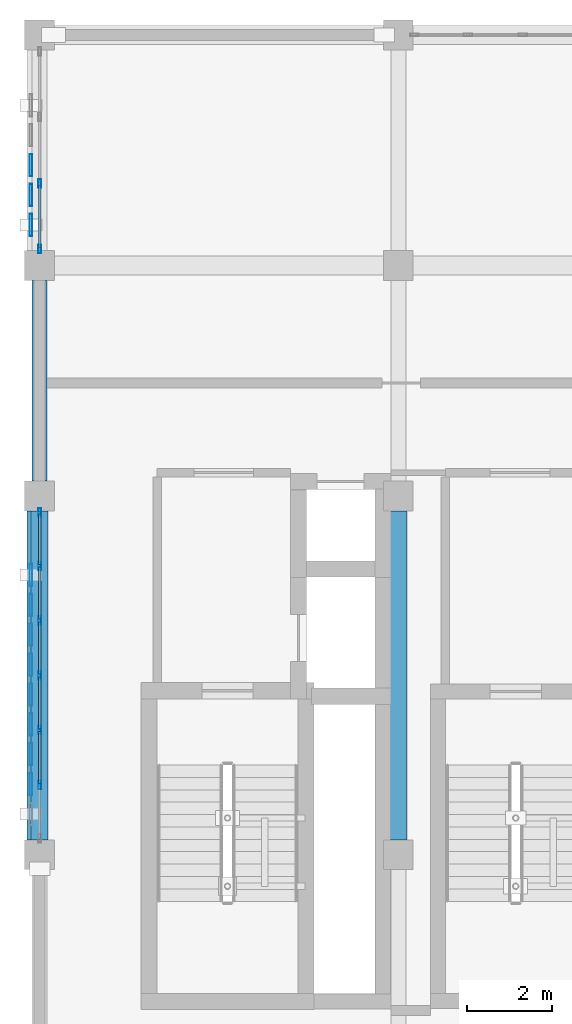
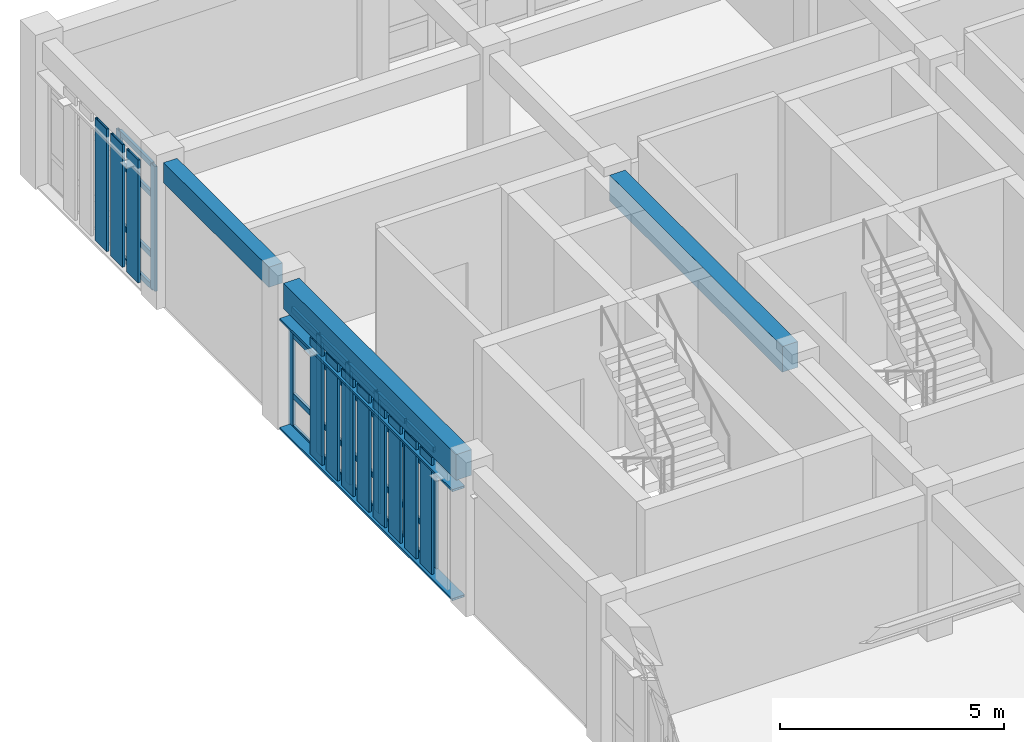
# One storey, part 9 of 22: 45 members, 3 beams, 2 elements without a shape of their own.
"""IFC4 building model written with IfcOpenShell, lengths in metres."""

from ifc_helpers import new_model, si_unit, direction, frame, origin, origin_2d, place, context, subcontext, project, spatial, rectangle, hollow_rectangle, extrude, material, layer, layer_set, material_profile, profile_set, type_object, element, aggregate, save


model = new_model("IFC4")

# Units and contexts
model_context = context("Model", 3, precision=1e-05, world=origin(), true_north=direction((0.0, 1.0)))
body_context = subcontext(model_context, "Body", "Model", "MODEL_VIEW")
ifc_project = project(units=[si_unit("LENGTHUNIT", "METRE"), si_unit("AREAUNIT", "SQUARE_METRE"), si_unit("VOLUMEUNIT", "CUBIC_METRE"), si_unit("PLANEANGLEUNIT", "RADIAN"), si_unit("MASSUNIT", "GRAM", prefix="KILO")], contexts=[model_context])

# Site, building, storey
site_placement = place(None, origin())
site = spatial("IfcSite", under=ifc_project, at=site_placement, CompositionType="ELEMENT")
building_placement = place(site_placement, origin())
building = spatial("IfcBuilding", under=site, at=building_placement, Name="Krzemoval Escarpment Law Courts", CompositionType="ELEMENT")
storey_placement = place(building_placement, frame((0.0, 0.0, 29.39990234375)))
storey = spatial("IfcBuildingStorey", under=building, at=storey_placement, Name="L06", CompositionType="ELEMENT", Elevation=29.39990234375)

# Beams
ifc_material_1 = material(Name="Concrete C40/50", Category="concrete")
ifc_material_profile_1 = material_profile(ifc_material_1, rectangle(XDim=0.35009765625, YDim=0.550048828125, at=origin_2d()), Name="RCB 350x550")
ifc_profile_set_1 = profile_set([ifc_material_profile_1], Name="Concrete C40/50")
beam_type_1 = type_object("IfcBeamType", Name="BM-RC-350x550", PredefinedType="BEAM", material=ifc_profile_set_1)
beam_placement = place(storey_placement, frame((126.0, 108.35009765625, 3.675048828125), z_axis=(0.0, 1.0, 0.0), x_axis=(-1.0, 0.0, 0.0)))
element("IfcBeam", 1, at=beam_placement, inside=storey, type_object=beam_type_1, Name="Beam FG-L06-2663", PredefinedType="BEAM", context=body_context, shape_type="SweptSolid", body=[
    extrude(rectangle(XDim=0.35009765625, YDim=0.550048828125, at=origin_2d()), origin(), (0.0, 0.0, 1.0), 4.699951171875),
])
ifc_material_2 = material(Name="Concrete C40/50", Category="concrete")
ifc_material_profile_2 = material_profile(ifc_material_2, rectangle(XDim=0.39990234375, YDim=0.699951171875, at=origin_2d()), Name="RCB 400x700")
ifc_profile_set_2 = profile_set([ifc_material_profile_2], Name="Concrete C40/50")
beam_type_2 = type_object("IfcBeamType", Name="BM-RC-400x700", PredefinedType="BEAM", material=ifc_profile_set_2)
for number, where, z_axis, x_axis, name in (
    (2, (126.0, 99.949951171875, 3.60009765625), (0.0, 1.0, 0.0), (-1.0, 0.0, 0.0), "Beam FG-L06-2662"),
    (3, (134.39990234375, 99.949951171875, 3.60009765625), (0.0, 1.0, 0.0), (-1.0, 0.0, 0.0), "Beam FG-L06-2667"),
):
    element("IfcBeam", number, at=place(storey_placement, frame(where, z_axis=z_axis, x_axis=x_axis)), inside=storey, type_object=beam_type_2, Name=name, PredefinedType="BEAM", context=body_context, shape_type="SweptSolid", body=[
        extrude(rectangle(XDim=0.39990234375, YDim=0.699951171875, at=origin_2d()), origin(), (0.0, 0.0, 1.0), 7.699951171875),
    ])

# Curtain wall, members
ifc_material_3 = material(Name="Aluminium 6063-T6", Category="aluminium")
ifc_layer = layer(ifc_material_3, 0.219970703125)
ifc_layer_set = layer_set([ifc_layer], Name="Aluminium 6063-T6")
curtain_wall_type = type_object("IfcCurtainWallType", Name="CW-CHMB-4200", PredefinedType="USERDEFINED", material=ifc_layer_set)
curtain_wall_1_placement = place(storey_placement, origin())
curtain_wall_1 = element("IfcCurtainWall", 4, at=curtain_wall_1_placement, inside=storey, type_object=curtain_wall_type, Name="Unitised Curtain Wall FCW-L06-147", ObjectType="UNITISED_CURTAIN_WALL", PredefinedType="USERDEFINED")
ifc_material_4 = material(Name="Aluminium 6063-T6", Category="aluminium")
ifc_material_profile_3 = material_profile(ifc_material_4, hollow_rectangle(XDim=0.06494140625, YDim=0.199951171875, WallThickness=0.00439453125, at=origin_2d()), Name="ALU M65x200")
ifc_profile_set_3 = profile_set([ifc_material_profile_3], Name="Aluminium 6063-T6")
member_type_1 = type_object("IfcMemberType", Name="CWM-65x200", PredefinedType="MULLION", material=ifc_profile_set_3)
member_1_placement = place(storey_placement, frame((126.0, 101.2333984375, 0.0), z_axis=(0.0, 0.0, 1.0), x_axis=(-1.0, 0.0, 0.0)))
member_1 = element("IfcMember", 5, at=member_1_placement, type_object=member_type_1, Name="FCW-L06-147 mullion 2", PredefinedType="MULLION", context=body_context, shape_type="SweptSolid", body=[
    extrude(hollow_rectangle(XDim=0.06494140625, YDim=0.199951171875, WallThickness=0.00439453125, at=origin_2d()), origin(), (0.0, 0.0, 1.0), 3.25),
])
member_2_placement = place(storey_placement, frame((126.0, 102.5166015625, 0.0), z_axis=(0.0, 0.0, 1.0), x_axis=(-1.0, 0.0, 0.0)))
member_2 = element("IfcMember", 6, at=member_2_placement, type_object=member_type_1, Name="FCW-L06-147 mullion 3", PredefinedType="MULLION", context=body_context, shape_type="SweptSolid", body=[
    extrude(hollow_rectangle(XDim=0.06494140625, YDim=0.199951171875, WallThickness=0.00439453125, at=origin_2d()), origin(), (0.0, 0.0, 1.0), 3.25),
])
member_3_placement = place(storey_placement, frame((126.0, 103.800048828125, 0.0), z_axis=(0.0, 0.0, 1.0), x_axis=(-1.0, 0.0, 0.0)))
member_3 = element("IfcMember", 7, at=member_3_placement, type_object=member_type_1, Name="FCW-L06-147 mullion 4", PredefinedType="MULLION", context=body_context, shape_type="SweptSolid", body=[
    extrude(hollow_rectangle(XDim=0.06494140625, YDim=0.199951171875, WallThickness=0.00439453125, at=origin_2d()), origin(), (0.0, 0.0, 1.0), 3.25),
])
member_4_placement = place(storey_placement, frame((126.0, 105.083251953125, 0.0), z_axis=(0.0, 0.0, 1.0), x_axis=(-1.0, 0.0, 0.0)))
member_4 = element("IfcMember", 8, at=member_4_placement, type_object=member_type_1, Name="FCW-L06-147 mullion 5", PredefinedType="MULLION", context=body_context, shape_type="SweptSolid", body=[
    extrude(hollow_rectangle(XDim=0.06494140625, YDim=0.199951171875, WallThickness=0.00439453125, at=origin_2d()), origin(), (0.0, 0.0, 1.0), 3.25),
])
member_5_placement = place(storey_placement, frame((126.0, 106.36669921875, 0.0), z_axis=(0.0, 0.0, 1.0), x_axis=(-1.0, 0.0, 0.0)))
member_5 = element("IfcMember", 9, at=member_5_placement, type_object=member_type_1, Name="FCW-L06-147 mullion 6", PredefinedType="MULLION", context=body_context, shape_type="SweptSolid", body=[
    extrude(hollow_rectangle(XDim=0.06494140625, YDim=0.199951171875, WallThickness=0.00439453125, at=origin_2d()), origin(), (0.0, 0.0, 1.0), 3.25),
])
member_6_placement = place(storey_placement, frame((126.0, 107.617431640625, 0.0), z_axis=(0.0, 0.0, 1.0), x_axis=(-1.0, 0.0, 0.0)))
member_6 = element("IfcMember", 10, at=member_6_placement, type_object=member_type_1, Name="FCW-L06-147 mullion 7", PredefinedType="MULLION", context=body_context, shape_type="SweptSolid", body=[
    extrude(hollow_rectangle(XDim=0.06494140625, YDim=0.199951171875, WallThickness=0.00439453125, at=origin_2d()), origin(), (0.0, 0.0, 1.0), 3.25),
])

curtain_wall_2_placement = place(storey_placement, origin())
curtain_wall_2 = element("IfcCurtainWall", 11, at=curtain_wall_2_placement, inside=storey, type_object=curtain_wall_type, Name="Unitised Curtain Wall FCW-L06-148", ObjectType="UNITISED_CURTAIN_WALL", PredefinedType="USERDEFINED")
member_7_placement = place(storey_placement, frame((126.0, 113.782470703125, 0.0), z_axis=(0.0, 0.0, 1.0), x_axis=(-1.0, 0.0, 0.0)))
member_7 = element("IfcMember", 12, at=member_7_placement, type_object=member_type_1, Name="FCW-L06-148 mullion 1", PredefinedType="MULLION", context=body_context, shape_type="SweptSolid", body=[
    extrude(hollow_rectangle(XDim=0.06494140625, YDim=0.199951171875, WallThickness=0.00439453125, at=origin_2d()), origin(), (0.0, 0.0, 1.0), 3.400146484375),
])
member_8_placement = place(storey_placement, frame((126.0, 115.316650390625, 0.0), z_axis=(0.0, 0.0, 1.0), x_axis=(-1.0, 0.0, 0.0)))
member_8 = element("IfcMember", 13, at=member_8_placement, type_object=member_type_1, Name="FCW-L06-148 mullion 2", PredefinedType="MULLION", context=body_context, shape_type="SweptSolid", body=[
    extrude(hollow_rectangle(XDim=0.06494140625, YDim=0.199951171875, WallThickness=0.00439453125, at=origin_2d()), origin(), (0.0, 0.0, 1.0), 3.400146484375),
])

# Member
ifc_material_5 = material(Name="Aluminium 6063-T6", Category="aluminium")
ifc_material_profile_4 = material_profile(ifc_material_5, hollow_rectangle(XDim=0.06494140625, YDim=0.14990234375, WallThickness=0.00439453125, at=origin_2d()), Name="ALU T65x150")
ifc_profile_set_4 = profile_set([ifc_material_profile_4], Name="Aluminium 6063-T6")
member_type_2 = type_object("IfcMemberType", Name="CWT-65x150", PredefinedType="USERDEFINED", material=ifc_profile_set_4)
member_9_placement = place(storey_placement, frame((126.0, 101.265869140625, 0.03271484375), z_axis=(0.0, 1.0, 0.0), x_axis=(-1.0, 0.0, 0.0)))
member_9 = element("IfcMember", 14, at=member_9_placement, type_object=member_type_2, Name="FCW-L06-147 transom 2.1", ObjectType="TRANSOM", PredefinedType="USERDEFINED", context=body_context, shape_type="SweptSolid", body=[
    extrude(hollow_rectangle(XDim=0.06494140625, YDim=0.14990234375, WallThickness=0.00439453125, at=origin_2d()), origin(), (0.0, 0.0, 1.0), 1.21826171875),
])

member_10_placement = place(storey_placement, frame((126.0, 101.265869140625, 0.900146484375), z_axis=(0.0, 1.0, 0.0), x_axis=(-1.0, 0.0, 0.0)))
member_10 = element("IfcMember", 15, at=member_10_placement, type_object=member_type_2, Name="FCW-L06-147 transom 2.2", ObjectType="TRANSOM", PredefinedType="USERDEFINED", context=body_context, shape_type="SweptSolid", body=[
    extrude(hollow_rectangle(XDim=0.06494140625, YDim=0.14990234375, WallThickness=0.00439453125, at=origin_2d()), origin(), (0.0, 0.0, 1.0), 1.21826171875),
])

member_11_placement = place(storey_placement, frame((126.0, 101.265869140625, 2.550048828125), z_axis=(0.0, 1.0, 0.0), x_axis=(-1.0, 0.0, 0.0)))
member_11 = element("IfcMember", 16, at=member_11_placement, type_object=member_type_2, Name="FCW-L06-147 transom 2.3", ObjectType="TRANSOM", PredefinedType="USERDEFINED", context=body_context, shape_type="SweptSolid", body=[
    extrude(hollow_rectangle(XDim=0.06494140625, YDim=0.14990234375, WallThickness=0.00439453125, at=origin_2d()), origin(), (0.0, 0.0, 1.0), 1.21826171875),
])

member_12_placement = place(storey_placement, frame((126.0, 101.265869140625, 3.217529296875), z_axis=(0.0, 1.0, 0.0), x_axis=(-1.0, 0.0, 0.0)))
member_12 = element("IfcMember", 17, at=member_12_placement, type_object=member_type_2, Name="FCW-L06-147 transom 2.4", ObjectType="TRANSOM", PredefinedType="USERDEFINED", context=body_context, shape_type="SweptSolid", body=[
    extrude(hollow_rectangle(XDim=0.06494140625, YDim=0.14990234375, WallThickness=0.00439453125, at=origin_2d()), origin(), (0.0, 0.0, 1.0), 1.21826171875),
])

member_13_placement = place(storey_placement, frame((126.0, 102.549072265625, 0.03271484375), z_axis=(0.0, 1.0, 0.0), x_axis=(-1.0, 0.0, 0.0)))
member_13 = element("IfcMember", 18, at=member_13_placement, type_object=member_type_2, Name="FCW-L06-147 transom 3.1", ObjectType="TRANSOM", PredefinedType="USERDEFINED", context=body_context, shape_type="SweptSolid", body=[
    extrude(hollow_rectangle(XDim=0.06494140625, YDim=0.14990234375, WallThickness=0.00439453125, at=origin_2d()), origin(), (0.0, 0.0, 1.0), 1.218505859375),
])

member_14_placement = place(storey_placement, frame((126.0, 102.549072265625, 0.900146484375), z_axis=(0.0, 1.0, 0.0), x_axis=(-1.0, 0.0, 0.0)))
member_14 = element("IfcMember", 19, at=member_14_placement, type_object=member_type_2, Name="FCW-L06-147 transom 3.2", ObjectType="TRANSOM", PredefinedType="USERDEFINED", context=body_context, shape_type="SweptSolid", body=[
    extrude(hollow_rectangle(XDim=0.06494140625, YDim=0.14990234375, WallThickness=0.00439453125, at=origin_2d()), origin(), (0.0, 0.0, 1.0), 1.218505859375),
])

member_15_placement = place(storey_placement, frame((126.0, 102.549072265625, 2.550048828125), z_axis=(0.0, 1.0, 0.0), x_axis=(-1.0, 0.0, 0.0)))
member_15 = element("IfcMember", 20, at=member_15_placement, type_object=member_type_2, Name="FCW-L06-147 transom 3.3", ObjectType="TRANSOM", PredefinedType="USERDEFINED", context=body_context, shape_type="SweptSolid", body=[
    extrude(hollow_rectangle(XDim=0.06494140625, YDim=0.14990234375, WallThickness=0.00439453125, at=origin_2d()), origin(), (0.0, 0.0, 1.0), 1.218505859375),
])

member_16_placement = place(storey_placement, frame((126.0, 102.549072265625, 3.217529296875), z_axis=(0.0, 1.0, 0.0), x_axis=(-1.0, 0.0, 0.0)))
member_16 = element("IfcMember", 21, at=member_16_placement, type_object=member_type_2, Name="FCW-L06-147 transom 3.4", ObjectType="TRANSOM", PredefinedType="USERDEFINED", context=body_context, shape_type="SweptSolid", body=[
    extrude(hollow_rectangle(XDim=0.06494140625, YDim=0.14990234375, WallThickness=0.00439453125, at=origin_2d()), origin(), (0.0, 0.0, 1.0), 1.218505859375),
])

member_17_placement = place(storey_placement, frame((126.0, 103.83251953125, 0.03271484375), z_axis=(0.0, 1.0, 0.0), x_axis=(-1.0, 0.0, 0.0)))
member_17 = element("IfcMember", 22, at=member_17_placement, type_object=member_type_2, Name="FCW-L06-147 transom 4.1", ObjectType="TRANSOM", PredefinedType="USERDEFINED", context=body_context, shape_type="SweptSolid", body=[
    extrude(hollow_rectangle(XDim=0.06494140625, YDim=0.14990234375, WallThickness=0.00439453125, at=origin_2d()), origin(), (0.0, 0.0, 1.0), 1.21826171875),
])

member_18_placement = place(storey_placement, frame((126.0, 103.83251953125, 0.900146484375), z_axis=(0.0, 1.0, 0.0), x_axis=(-1.0, 0.0, 0.0)))
member_18 = element("IfcMember", 23, at=member_18_placement, type_object=member_type_2, Name="FCW-L06-147 transom 4.2", ObjectType="TRANSOM", PredefinedType="USERDEFINED", context=body_context, shape_type="SweptSolid", body=[
    extrude(hollow_rectangle(XDim=0.06494140625, YDim=0.14990234375, WallThickness=0.00439453125, at=origin_2d()), origin(), (0.0, 0.0, 1.0), 1.21826171875),
])

member_19_placement = place(storey_placement, frame((126.0, 103.83251953125, 2.550048828125), z_axis=(0.0, 1.0, 0.0), x_axis=(-1.0, 0.0, 0.0)))
member_19 = element("IfcMember", 24, at=member_19_placement, type_object=member_type_2, Name="FCW-L06-147 transom 4.3", ObjectType="TRANSOM", PredefinedType="USERDEFINED", context=body_context, shape_type="SweptSolid", body=[
    extrude(hollow_rectangle(XDim=0.06494140625, YDim=0.14990234375, WallThickness=0.00439453125, at=origin_2d()), origin(), (0.0, 0.0, 1.0), 1.21826171875),
])

member_20_placement = place(storey_placement, frame((126.0, 103.83251953125, 3.217529296875), z_axis=(0.0, 1.0, 0.0), x_axis=(-1.0, 0.0, 0.0)))
member_20 = element("IfcMember", 25, at=member_20_placement, type_object=member_type_2, Name="FCW-L06-147 transom 4.4", ObjectType="TRANSOM", PredefinedType="USERDEFINED", context=body_context, shape_type="SweptSolid", body=[
    extrude(hollow_rectangle(XDim=0.06494140625, YDim=0.14990234375, WallThickness=0.00439453125, at=origin_2d()), origin(), (0.0, 0.0, 1.0), 1.21826171875),
])

member_21_placement = place(storey_placement, frame((126.0, 105.11572265625, 0.03271484375), z_axis=(0.0, 1.0, 0.0), x_axis=(-1.0, 0.0, 0.0)))
member_21 = element("IfcMember", 26, at=member_21_placement, type_object=member_type_2, Name="FCW-L06-147 transom 5.1", ObjectType="TRANSOM", PredefinedType="USERDEFINED", context=body_context, shape_type="SweptSolid", body=[
    extrude(hollow_rectangle(XDim=0.06494140625, YDim=0.14990234375, WallThickness=0.00439453125, at=origin_2d()), origin(), (0.0, 0.0, 1.0), 1.218505859375),
])

member_22_placement = place(storey_placement, frame((126.0, 105.11572265625, 0.900146484375), z_axis=(0.0, 1.0, 0.0), x_axis=(-1.0, 0.0, 0.0)))
member_22 = element("IfcMember", 27, at=member_22_placement, type_object=member_type_2, Name="FCW-L06-147 transom 5.2", ObjectType="TRANSOM", PredefinedType="USERDEFINED", context=body_context, shape_type="SweptSolid", body=[
    extrude(hollow_rectangle(XDim=0.06494140625, YDim=0.14990234375, WallThickness=0.00439453125, at=origin_2d()), origin(), (0.0, 0.0, 1.0), 1.218505859375),
])

member_23_placement = place(storey_placement, frame((126.0, 105.11572265625, 2.550048828125), z_axis=(0.0, 1.0, 0.0), x_axis=(-1.0, 0.0, 0.0)))
member_23 = element("IfcMember", 28, at=member_23_placement, type_object=member_type_2, Name="FCW-L06-147 transom 5.3", ObjectType="TRANSOM", PredefinedType="USERDEFINED", context=body_context, shape_type="SweptSolid", body=[
    extrude(hollow_rectangle(XDim=0.06494140625, YDim=0.14990234375, WallThickness=0.00439453125, at=origin_2d()), origin(), (0.0, 0.0, 1.0), 1.218505859375),
])

member_24_placement = place(storey_placement, frame((126.0, 105.11572265625, 3.217529296875), z_axis=(0.0, 1.0, 0.0), x_axis=(-1.0, 0.0, 0.0)))
member_24 = element("IfcMember", 29, at=member_24_placement, type_object=member_type_2, Name="FCW-L06-147 transom 5.4", ObjectType="TRANSOM", PredefinedType="USERDEFINED", context=body_context, shape_type="SweptSolid", body=[
    extrude(hollow_rectangle(XDim=0.06494140625, YDim=0.14990234375, WallThickness=0.00439453125, at=origin_2d()), origin(), (0.0, 0.0, 1.0), 1.218505859375),
])

member_25_placement = place(storey_placement, frame((126.0, 106.399169921875, 0.03271484375), z_axis=(0.0, 1.0, 0.0), x_axis=(-1.0, 0.0, 0.0)))
member_25 = element("IfcMember", 30, at=member_25_placement, type_object=member_type_2, Name="FCW-L06-147 transom 6.1", ObjectType="TRANSOM", PredefinedType="USERDEFINED", context=body_context, shape_type="SweptSolid", body=[
    extrude(hollow_rectangle(XDim=0.06494140625, YDim=0.14990234375, WallThickness=0.00439453125, at=origin_2d()), origin(), (0.0, 0.0, 1.0), 1.185791015625),
])

member_26_placement = place(storey_placement, frame((126.0, 106.399169921875, 0.900146484375), z_axis=(0.0, 1.0, 0.0), x_axis=(-1.0, 0.0, 0.0)))
member_26 = element("IfcMember", 31, at=member_26_placement, type_object=member_type_2, Name="FCW-L06-147 transom 6.2", ObjectType="TRANSOM", PredefinedType="USERDEFINED", context=body_context, shape_type="SweptSolid", body=[
    extrude(hollow_rectangle(XDim=0.06494140625, YDim=0.14990234375, WallThickness=0.00439453125, at=origin_2d()), origin(), (0.0, 0.0, 1.0), 1.185791015625),
])

member_27_placement = place(storey_placement, frame((126.0, 106.399169921875, 2.550048828125), z_axis=(0.0, 1.0, 0.0), x_axis=(-1.0, 0.0, 0.0)))
member_27 = element("IfcMember", 32, at=member_27_placement, type_object=member_type_2, Name="FCW-L06-147 transom 6.3", ObjectType="TRANSOM", PredefinedType="USERDEFINED", context=body_context, shape_type="SweptSolid", body=[
    extrude(hollow_rectangle(XDim=0.06494140625, YDim=0.14990234375, WallThickness=0.00439453125, at=origin_2d()), origin(), (0.0, 0.0, 1.0), 1.185791015625),
])

member_28_placement = place(storey_placement, frame((126.0, 106.399169921875, 3.217529296875), z_axis=(0.0, 1.0, 0.0), x_axis=(-1.0, 0.0, 0.0)))
member_28 = element("IfcMember", 33, at=member_28_placement, type_object=member_type_2, Name="FCW-L06-147 transom 6.4", ObjectType="TRANSOM", PredefinedType="USERDEFINED", context=body_context, shape_type="SweptSolid", body=[
    extrude(hollow_rectangle(XDim=0.06494140625, YDim=0.14990234375, WallThickness=0.00439453125, at=origin_2d()), origin(), (0.0, 0.0, 1.0), 1.185791015625),
])

aggregate(curtain_wall_1, [member_1, member_2, member_3, member_4, member_5, member_6, member_9, member_10, member_11, member_12, member_13, member_14, member_15, member_16, member_17, member_18, member_19, member_20, member_21, member_22, member_23, member_24, member_25, member_26, member_27, member_28])

member_29_placement = place(storey_placement, frame((126.0, 113.81494140625, 0.03271484375), z_axis=(0.0, 1.0, 0.0), x_axis=(-1.0, 0.0, 0.0)))
member_29 = element("IfcMember", 34, at=member_29_placement, type_object=member_type_2, Name="FCW-L06-148 transom 1.1", ObjectType="TRANSOM", PredefinedType="USERDEFINED", context=body_context, shape_type="SweptSolid", body=[
    extrude(hollow_rectangle(XDim=0.06494140625, YDim=0.14990234375, WallThickness=0.00439453125, at=origin_2d()), origin(), (0.0, 0.0, 1.0), 1.46923828125),
])

member_30_placement = place(storey_placement, frame((126.0, 113.81494140625, 0.900146484375), z_axis=(0.0, 1.0, 0.0), x_axis=(-1.0, 0.0, 0.0)))
member_30 = element("IfcMember", 35, at=member_30_placement, type_object=member_type_2, Name="FCW-L06-148 transom 1.2", ObjectType="TRANSOM", PredefinedType="USERDEFINED", context=body_context, shape_type="SweptSolid", body=[
    extrude(hollow_rectangle(XDim=0.06494140625, YDim=0.14990234375, WallThickness=0.00439453125, at=origin_2d()), origin(), (0.0, 0.0, 1.0), 1.46923828125),
])

member_31_placement = place(storey_placement, frame((126.0, 113.81494140625, 2.550048828125), z_axis=(0.0, 1.0, 0.0), x_axis=(-1.0, 0.0, 0.0)))
member_31 = element("IfcMember", 36, at=member_31_placement, type_object=member_type_2, Name="FCW-L06-148 transom 1.3", ObjectType="TRANSOM", PredefinedType="USERDEFINED", context=body_context, shape_type="SweptSolid", body=[
    extrude(hollow_rectangle(XDim=0.06494140625, YDim=0.14990234375, WallThickness=0.00439453125, at=origin_2d()), origin(), (0.0, 0.0, 1.0), 1.46923828125),
])

member_32_placement = place(storey_placement, frame((126.0, 113.81494140625, 3.36767578125), z_axis=(0.0, 1.0, 0.0), x_axis=(-1.0, 0.0, 0.0)))
member_32 = element("IfcMember", 37, at=member_32_placement, type_object=member_type_2, Name="FCW-L06-148 transom 1.4", ObjectType="TRANSOM", PredefinedType="USERDEFINED", context=body_context, shape_type="SweptSolid", body=[
    extrude(hollow_rectangle(XDim=0.06494140625, YDim=0.14990234375, WallThickness=0.00439453125, at=origin_2d()), origin(), (0.0, 0.0, 1.0), 1.46923828125),
])

aggregate(curtain_wall_2, [member_7, member_8, member_29, member_30, member_31, member_32])

# Members
ifc_material_6 = material(Name="Anodised Aluminium Alloy 6063-T6", Category="aluminium")
ifc_material_profile_5 = material_profile(ifc_material_6, hollow_rectangle(XDim=0.06005859375, YDim=0.320068359375, WallThickness=0.00390625, at=origin_2d()), Name="ALU LVR 60x320")
ifc_profile_set_5 = profile_set([ifc_material_profile_5], Name="Anodised Aluminium Alloy 6063-T6")
member_type_3 = type_object("IfcMemberType", Name="LVR-ALU-320", PredefinedType="USERDEFINED", material=ifc_profile_set_5)
for number, where, z_axis, x_axis, name in (
    (38, (125.860107421875, 99.949951171875, 0.030029296875), (0.0, 1.0, 0.0), (0.0, 0.0, 1.0), "Sunshade Support Rail FSR-L06-0983"),
    (39, (125.860107421875, 99.949951171875, 3.0), (0.0, 1.0, 0.0), (0.0, 0.0, 1.0), "Sunshade Support Rail FSR-L06-0984"),
):
    element("IfcMember", number, at=place(storey_placement, frame(where, z_axis=z_axis, x_axis=x_axis)), inside=storey, type_object=member_type_3, Name=name, ObjectType="SUNSHADE_LOUVRE", PredefinedType="USERDEFINED", context=body_context, shape_type="SweptSolid", body=[
        extrude(hollow_rectangle(XDim=0.06005859375, YDim=0.320068359375, WallThickness=0.00390625, at=origin_2d()), origin(), (0.0, 0.0, 1.0), 7.699951171875),
    ])
ifc_material_7 = material(Name="Anodised Aluminium Alloy 6063-T6", Category="aluminium")
ifc_material_profile_6 = material_profile(ifc_material_7, hollow_rectangle(XDim=0.06494140625, YDim=0.52001953125, WallThickness=0.00439453125, at=origin_2d()), Name="ALU LVR 65x520")
ifc_profile_set_6 = profile_set([ifc_material_profile_6], Name="Anodised Aluminium Alloy 6063-T6")
member_type_4 = type_object("IfcMemberType", Name="LVR-ALU-520", PredefinedType="USERDEFINED", material=ifc_profile_set_6)
for number, where, z_axis, x_axis, name in (
    (40, (125.800048828125, 101.25, 0.06005859375), (0.0, 0.0, 1.0), (1.0, 0.0, 0.0), "Sunshade Louvre Fin FLV-L06-0986"),
    (41, (125.800048828125, 101.949951171875, 0.06005859375), (0.0, 0.0, 1.0), (1.0, 0.0, 0.0), "Sunshade Louvre Fin FLV-L06-0987"),
    (42, (125.800048828125, 102.64990234375, 0.06005859375), (0.0, 0.0, 1.0), (1.0, 0.0, 0.0), "Sunshade Louvre Fin FLV-L06-0988"),
    (43, (125.800048828125, 103.35009765625, 0.06005859375), (0.0, 0.0, 1.0), (1.0, 0.0, 0.0), "Sunshade Louvre Fin FLV-L06-0989"),
    (44, (125.800048828125, 104.050048828125, 0.06005859375), (0.0, 0.0, 1.0), (1.0, 0.0, 0.0), "Sunshade Louvre Fin FLV-L06-0990"),
    (45, (125.800048828125, 104.75, 0.06005859375), (0.0, 0.0, 1.0), (1.0, 0.0, 0.0), "Sunshade Louvre Fin FLV-L06-0991"),
    (46, (125.800048828125, 105.449951171875, 0.06005859375), (0.0, 0.0, 1.0), (1.0, 0.0, 0.0), "Sunshade Louvre Fin FLV-L06-0992"),
    (47, (125.800048828125, 106.14990234375, 0.06005859375), (0.0, 0.0, 1.0), (1.0, 0.0, 0.0), "Sunshade Louvre Fin FLV-L06-0993"),
):
    element("IfcMember", number, at=place(storey_placement, frame(where, z_axis=z_axis, x_axis=x_axis)), inside=storey, type_object=member_type_4, Name=name, ObjectType="SUNSHADE_LOUVRE", PredefinedType="USERDEFINED", context=body_context, shape_type="SweptSolid", body=[
        extrude(hollow_rectangle(XDim=0.06494140625, YDim=0.52001953125, WallThickness=0.00439453125, at=origin_2d()), origin(), (0.0, 0.0, 1.0), 3.18994140625),
    ])
for number, where, z_axis, x_axis, name in (
    (48, (125.800048828125, 114.35009765625, 0.06005859375), (0.0, 0.0, 1.0), (1.0, 0.0, 0.0), "Sunshade Louvre Fin FLV-L06-0996"),
    (49, (125.800048828125, 115.050048828125, 0.06005859375), (0.0, 0.0, 1.0), (1.0, 0.0, 0.0), "Sunshade Louvre Fin FLV-L06-0997"),
    (50, (125.800048828125, 115.75, 0.06005859375), (0.0, 0.0, 1.0), (1.0, 0.0, 0.0), "Sunshade Louvre Fin FLV-L06-0998"),
):
    element("IfcMember", number, at=place(storey_placement, frame(where, z_axis=z_axis, x_axis=x_axis)), inside=storey, type_object=member_type_4, Name=name, ObjectType="SUNSHADE_LOUVRE", PredefinedType="USERDEFINED", context=body_context, shape_type="SweptSolid", body=[
        extrude(hollow_rectangle(XDim=0.06494140625, YDim=0.52001953125, WallThickness=0.00439453125, at=origin_2d()), origin(), (0.0, 0.0, 1.0), 3.340087890625),
    ])

save(model, "model.ifc")
